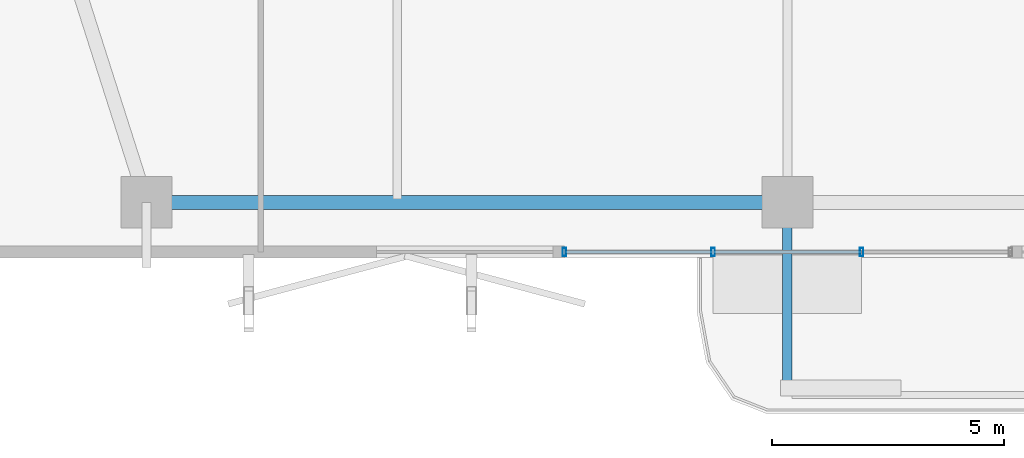
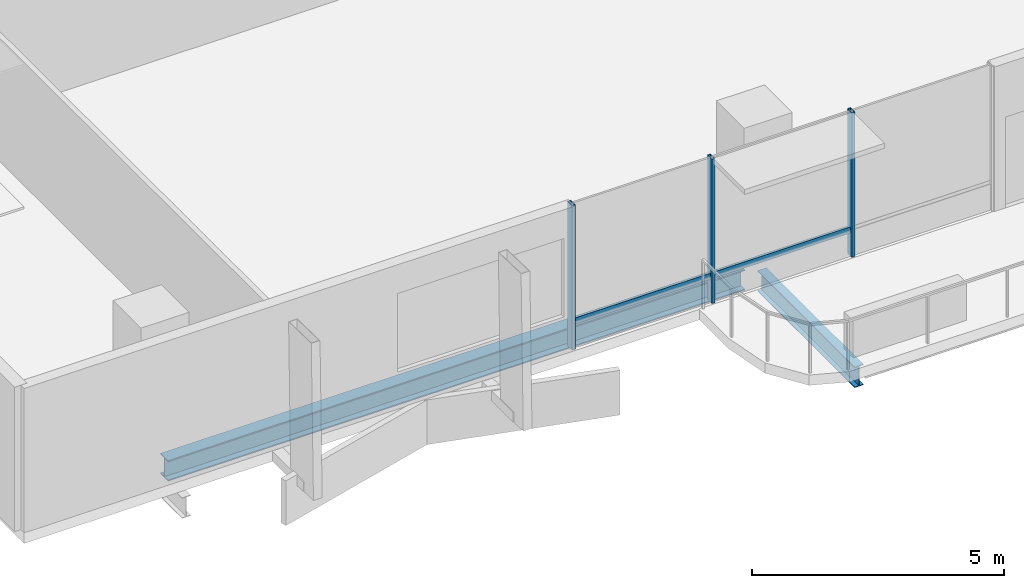
# One storey, part 2 of 25: 5 members, 2 beams, 1 element without a shape of its own.
"""IFC4 building model written with IfcOpenShell, lengths in metres."""

from ifc_helpers import new_model, si_unit, direction, frame, origin, origin_2d, place, context, subcontext, project, spatial, hollow_rectangle, i_section, extrude, material, layer, layer_set, material_profile, profile_set, type_object, element, aggregate, save


model = new_model("IFC4")

# Units and contexts
model_context = context("Model", 3, precision=1e-05, world=origin(), true_north=direction((0.0, 1.0)))
body_context = subcontext(model_context, "Body", "Model", "MODEL_VIEW")
ifc_project = project(units=[si_unit("LENGTHUNIT", "METRE"), si_unit("AREAUNIT", "SQUARE_METRE"), si_unit("VOLUMEUNIT", "CUBIC_METRE"), si_unit("PLANEANGLEUNIT", "RADIAN"), si_unit("MASSUNIT", "GRAM", prefix="KILO")], contexts=[model_context])

# Site, building, storey
site_placement = place(None, origin())
site = spatial("IfcSite", under=ifc_project, at=site_placement, CompositionType="ELEMENT")
building_placement = place(site_placement, origin())
building = spatial("IfcBuilding", under=site, at=building_placement, Name="Belovzor Exchange Tower", CompositionType="ELEMENT")
storey_placement = place(building_placement, frame((0.0, 0.0, 164.550048828125)))
storey = spatial("IfcBuildingStorey", under=building, at=storey_placement, Name="L40", CompositionType="ELEMENT", Elevation=164.550048828125)

# Beam
ifc_material_1 = material(Name="Steel S355", Category="steel")
ifc_material_profile_1 = material_profile(ifc_material_1, i_section(OverallWidth=0.199951171875, OverallDepth=0.5, WebThickness=0.01025390625, FlangeThickness=0.01611328125, at=origin_2d()))
ifc_profile_set_1 = profile_set([ifc_material_profile_1], Name="Steel S355")
beam_type_1 = type_object("IfcBeamType", Name="Planted Balcony Cantilever Beam IPE 500", PredefinedType="BEAM", material=ifc_profile_set_1)
beam_1_placement = place(storey_placement, frame((28.800048828125, 5.39697265625, -0.505126953125), z_axis=(0.0, -1.0, 0.0), x_axis=(1.0, 0.0, 0.0)))
element("IfcBeam", 1, at=beam_1_placement, inside=storey, type_object=beam_type_1, Name="BC-500 Planted Balcony Cantilever Beam IPE 500", PredefinedType="BEAM", context=body_context, shape_type="SweptSolid", body=[
    extrude(i_section(OverallWidth=0.199951171875, OverallDepth=0.5, WebThickness=0.01025390625, FlangeThickness=0.01611328125, at=origin_2d()), origin(), (0.0, 0.0, 1.0), 3.849853515625),
])

# Curtain wall, members
ifc_material_2 = material(Name="Anodised Aluminium Framing", Category="aluminium")
ifc_layer = layer(ifc_material_2, 0.179931640625)
ifc_layer_set = layer_set([ifc_layer], Name="Anodised Aluminium Framing")
curtain_wall_type = type_object("IfcCurtainWallType", Name="Recessed Loggia Low-Iron Triple-Glazed Curtain Wall", PredefinedType="NOTDEFINED", material=ifc_layer_set)
curtain_wall_placement = place(storey_placement, origin())
curtain_wall = element("IfcCurtainWall", 2, at=curtain_wall_placement, inside=storey, type_object=curtain_wall_type, Name="CW3 Recessed Loggia Low-Iron Triple-Glazed Curtain Wall L40", PredefinedType="NOTDEFINED")
ifc_material_3 = material(Name="Steel S355", Category="steel")
ifc_material_profile_2 = material_profile(ifc_material_3, hollow_rectangle(XDim=0.074951171875, YDim=0.179931640625, WallThickness=0.0048828125, at=origin_2d()))
ifc_profile_set_2 = profile_set([ifc_material_profile_2], Name="Steel S355")
member_type_1 = type_object("IfcMemberType", Name="Thermally Broken Curtain Wall Mullion 180x75", PredefinedType="MULLION", material=ifc_profile_set_2)
member_1_placement = place(storey_placement, frame((30.39990234375, 4.6298828125, 0.0), z_axis=(0.0, 0.0, 1.0), x_axis=(-1.0, 0.0, 0.0)))
member_1 = element("IfcMember", 3, at=member_1_placement, type_object=member_type_1, Name="CW-M180 Curtain Wall Mullion 2", PredefinedType="MULLION", context=body_context, shape_type="SweptSolid", body=[
    extrude(hollow_rectangle(XDim=0.074951171875, YDim=0.179931640625, WallThickness=0.0048828125, at=origin_2d()), origin(), (0.0, 0.0, 1.0), 3.494873046875),
])
member_2_placement = place(storey_placement, frame((27.199951171875, 4.6298828125, 0.0), z_axis=(0.0, 0.0, 1.0), x_axis=(-1.0, 0.0, 0.0)))
member_2 = element("IfcMember", 4, at=member_2_placement, type_object=member_type_1, Name="CW-M180 Curtain Wall Mullion 3", PredefinedType="MULLION", context=body_context, shape_type="SweptSolid", body=[
    extrude(hollow_rectangle(XDim=0.074951171875, YDim=0.179931640625, WallThickness=0.0048828125, at=origin_2d()), origin(), (0.0, 0.0, 1.0), 3.494873046875),
])
member_3_placement = place(storey_placement, frame((24.0, 4.6298828125, 0.0), z_axis=(0.0, 0.0, 1.0), x_axis=(-1.0, 0.0, 0.0)))
member_3 = element("IfcMember", 5, at=member_3_placement, type_object=member_type_1, Name="CW-M180 Curtain Wall Mullion 4", PredefinedType="MULLION", context=body_context, shape_type="SweptSolid", body=[
    extrude(hollow_rectangle(XDim=0.074951171875, YDim=0.179931640625, WallThickness=0.0048828125, at=origin_2d()), origin(), (0.0, 0.0, 1.0), 3.494873046875),
])
ifc_material_4 = material(Name="Steel S355", Category="steel")
ifc_material_profile_3 = material_profile(ifc_material_4, hollow_rectangle(XDim=0.06005859375, YDim=0.14990234375, WallThickness=0.00390625, at=origin_2d()))
ifc_profile_set_3 = profile_set([ifc_material_profile_3], Name="Steel S355")
member_type_2 = type_object("IfcMemberType", Name="Thermally Broken Curtain Wall Transom 150x60", PredefinedType="USERDEFINED", material=ifc_profile_set_3)
member_4_placement = place(storey_placement, frame((30.39208984375, 4.6298828125, 0.62890625), z_axis=(-1.0, 0.0, 0.0), x_axis=(0.0, -1.0, 0.0)))
member_4 = element("IfcMember", 6, at=member_4_placement, type_object=member_type_2, Name="CW-T150 Curtain Wall Transom 2", ObjectType="TRANSOM", PredefinedType="USERDEFINED", context=body_context, shape_type="SweptSolid", body=[
    extrude(hollow_rectangle(XDim=0.06005859375, YDim=0.14990234375, WallThickness=0.00390625, at=origin_2d()), origin(), (0.0, 0.0, 1.0), 3.18408203125),
])
member_5_placement = place(storey_placement, frame((27.19189453125, 4.6298828125, 0.62890625), z_axis=(-1.0, 0.0, 0.0), x_axis=(0.0, -1.0, 0.0)))
member_5 = element("IfcMember", 7, at=member_5_placement, type_object=member_type_2, Name="CW-T150 Curtain Wall Transom 3", ObjectType="TRANSOM", PredefinedType="USERDEFINED", context=body_context, shape_type="SweptSolid", body=[
    extrude(hollow_rectangle(XDim=0.06005859375, YDim=0.14990234375, WallThickness=0.00390625, at=origin_2d()), origin(), (0.0, 0.0, 1.0), 3.183837890625),
])
aggregate(curtain_wall, [member_1, member_2, member_3, member_4, member_5])

# Beam
ifc_material_5 = material(Name="Steel S355", Category="steel")
ifc_material_profile_4 = material_profile(ifc_material_5, i_section(OverallWidth=0.300048828125, OverallDepth=0.5, WebThickness=0.014404296875, FlangeThickness=0.028076171875, at=origin_2d()))
ifc_profile_set_4 = profile_set([ifc_material_profile_4], Name="Steel S355")
beam_type_2 = type_object("IfcBeamType", Name="Zone 3 Waist Primary Girder HEB 500", PredefinedType="BEAM", material=ifc_profile_set_4)
beam_2_placement = place(storey_placement, frame((15.302978515625, 5.699951171875, -0.505126953125), z_axis=(1.0, 0.0, 0.0), x_axis=(0.0, 1.0, 0.0)))
element("IfcBeam", 8, at=beam_2_placement, inside=storey, type_object=beam_type_2, Name="FG-Z3 Zone 3 Waist Primary Girder HEB 500", PredefinedType="BEAM", context=body_context, shape_type="SweptSolid", body=[
    extrude(i_section(OverallWidth=0.300048828125, OverallDepth=0.5, WebThickness=0.014404296875, FlangeThickness=0.028076171875, at=origin_2d()), origin(), (0.0, 0.0, 1.0), 13.195068359375),
])

save(model, "model.ifc")
